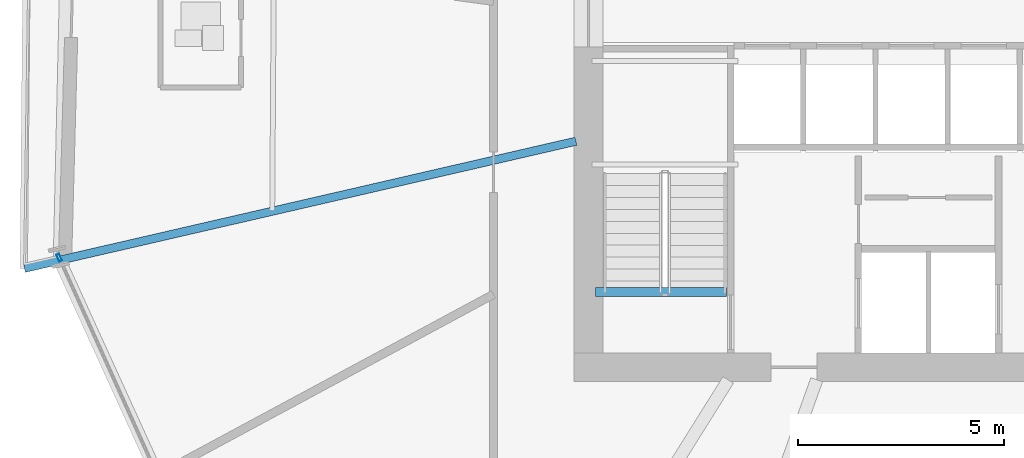
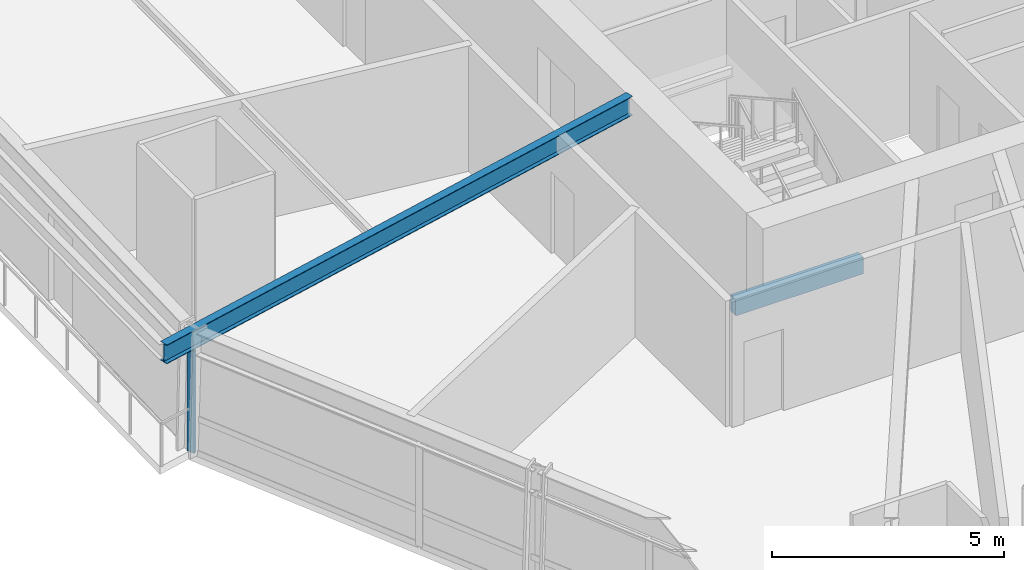
# One storey, part 4 of 22: 2 beams, 1 member, 1 element without a shape of its own.
"""IFC4 building model written with IfcOpenShell, lengths in metres."""

from ifc_helpers import new_model, si_unit, direction, frame, origin, origin_2d, place, context, subcontext, project, spatial, rectangle, hollow_rectangle, i_section, extrude, source, transform, mapped, material, material_profile, profile_set, type_object, element, aggregate, save


model = new_model("IFC4")

# Units and contexts
model_context = context("Model", 3, precision=1e-05, world=origin(), true_north=direction((0.0, 1.0)))
body_context = subcontext(model_context, "Body", "Model", "MODEL_VIEW")
ifc_project = project(units=[si_unit("LENGTHUNIT", "METRE"), si_unit("AREAUNIT", "SQUARE_METRE"), si_unit("VOLUMEUNIT", "CUBIC_METRE"), si_unit("PLANEANGLEUNIT", "RADIAN"), si_unit("MASSUNIT", "GRAM", prefix="KILO")], contexts=[model_context])

# Site, building, storey
site_placement = place(None, origin())
site = spatial("IfcSite", under=ifc_project, at=site_placement, CompositionType="ELEMENT")
building_placement = place(site_placement, origin())
building = spatial("IfcBuilding", under=site, at=building_placement, Name="Olszyna Solenne Hotel", CompositionType="ELEMENT")
storey_placement = place(building_placement, frame((0.0, 0.0, 87.949951171875)))
storey = spatial("IfcBuildingStorey", under=building, at=storey_placement, Name="L22", CompositionType="ELEMENT", Elevation=87.949951171875)

# Beam
ifc_material_1 = material(Name="Steel S355J2", Category="steel")
ifc_material_profile_1 = material_profile(ifc_material_1, i_section(OverallWidth=0.199951171875, OverallDepth=0.5, WebThickness=0.01025390625, FlangeThickness=0.01611328125, at=origin_2d()), Name="IPE 500", Category="load-bearing")
ifc_profile_set_1 = profile_set([ifc_material_profile_1], Name="Steel S355J2")
beam_type_1 = type_object("IfcBeamType", Name="BM-F3", PredefinedType="BEAM", material=ifc_profile_set_1)
shared_shape_1 = source(origin(), body_context, "Body", "SweptSolid", [
    extrude(i_section(OverallWidth=0.199951171875, OverallDepth=0.5, WebThickness=0.01025390625, FlangeThickness=0.01611328125, at=origin_2d()), origin(), (0.0, 0.0, 1.0), 13.726806640625),
])
beam_1_placement = place(storey_placement, frame((16.072509765625, 21.550537109375, 3.050048828125), z_axis=(0.974463686885, 0.22454514678, 0.0), x_axis=(-0.22454514678, 0.974463686885, 0.0)))
element("IfcBeam", 1, at=beam_1_placement, inside=storey, type_object=beam_type_1, Name="Radial floor girder BM-F3 B-L22-0679", PredefinedType="BEAM", context=body_context, shape_type="MappedRepresentation", body=[
    mapped(shared_shape_1, transform((0.0, 0.0, 0.0), x_axis=(1.0, 0.0, 0.0), y_axis=(0.0, 1.0, 0.0), z_axis=(0.0, 0.0, 1.0), scale=1.0)),
])

# Curtain wall, member
ifc_material_2 = material(Name="Anodised bronze aluminium", Category="aluminium")
curtain_wall_type = type_object("IfcCurtainWallType", Name="CW-SYS-3", PredefinedType="NOTDEFINED", material=ifc_material_2)
curtain_wall_placement = place(storey_placement, origin())
curtain_wall = element("IfcCurtainWall", 2, at=curtain_wall_placement, inside=storey, type_object=curtain_wall_type, Name="Unitised curtain wall CW-SYS-3 CW-L22-01", PredefinedType="NOTDEFINED")
ifc_material_profile_2 = material_profile(ifc_material_2, hollow_rectangle(XDim=0.074951171875, YDim=0.179931640625, WallThickness=0.00439453125, at=origin_2d()), Name="MULL 180x75x4.5", Category="load-bearing")
ifc_profile_set_2 = profile_set([ifc_material_profile_2], Name="Anodised bronze aluminium")
member_type = type_object("IfcMemberType", Name="CW-M2", PredefinedType="MULLION", material=ifc_profile_set_2)
shared_shape_2 = source(origin(), body_context, "Body", "SweptSolid", [
    extrude(hollow_rectangle(XDim=0.074951171875, YDim=0.179931640625, WallThickness=0.00439453125, at=origin_2d()), origin(), (0.0, 0.0, 1.0), 2.692138671875),
])
member_placement = place(storey_placement, frame((16.914306640625, 21.808349609375, 0.0), z_axis=(0.0, 0.0, 1.0), x_axis=(0.911704320183, 0.410846969759, 0.0)))
member = element("IfcMember", 3, at=member_placement, type_object=member_type, Name="Curtain-wall mullion CW-M2 CM-L22-01-01", PredefinedType="MULLION", context=body_context, shape_type="MappedRepresentation", body=[
    mapped(shared_shape_2, transform((0.0, 0.0, 0.0), x_axis=(1.0, 0.0, 0.0), y_axis=(0.0, 1.0, 0.0), z_axis=(0.0, 0.0, 1.0), scale=1.0)),
])
aggregate(curtain_wall, [member])

# Beam
ifc_material_3 = material(Name="Concrete C50/60", Category="concrete")
ifc_material_profile_3 = material_profile(ifc_material_3, rectangle(XDim=0.219970703125, YDim=0.43994140625, at=origin_2d()), Name="RC 220x440", Category="load-bearing")
ifc_profile_set_3 = profile_set([ifc_material_profile_3], Name="Concrete C50/60")
beam_type_2 = type_object("IfcBeamType", Name="BM-ST1", PredefinedType="BEAM", material=ifc_profile_set_3)
shared_shape_3 = source(origin(), body_context, "Body", "SweptSolid", [
    extrude(rectangle(XDim=0.219970703125, YDim=0.43994140625, at=origin_2d()), origin(), (0.0, 0.0, 1.0), 3.18017578125),
])
beam_2_placement = place(storey_placement, frame((33.10009765625, 20.97998046875, -0.204833984375), z_axis=(-1.0, 0.0, 0.0), x_axis=(0.0, -1.0, 0.0)))
element("IfcBeam", 4, at=beam_2_placement, inside=storey, type_object=beam_type_2, Name="Concrete stair trimmer beam BM-ST1 SHB-ST1-0184", PredefinedType="BEAM", context=body_context, shape_type="MappedRepresentation", body=[
    mapped(shared_shape_3, transform((0.0, 0.0, 0.0), x_axis=(1.0, 0.0, 0.0), y_axis=(0.0, 1.0, 0.0), z_axis=(0.0, 0.0, 1.0), scale=1.0)),
])

save(model, "model.ifc")
